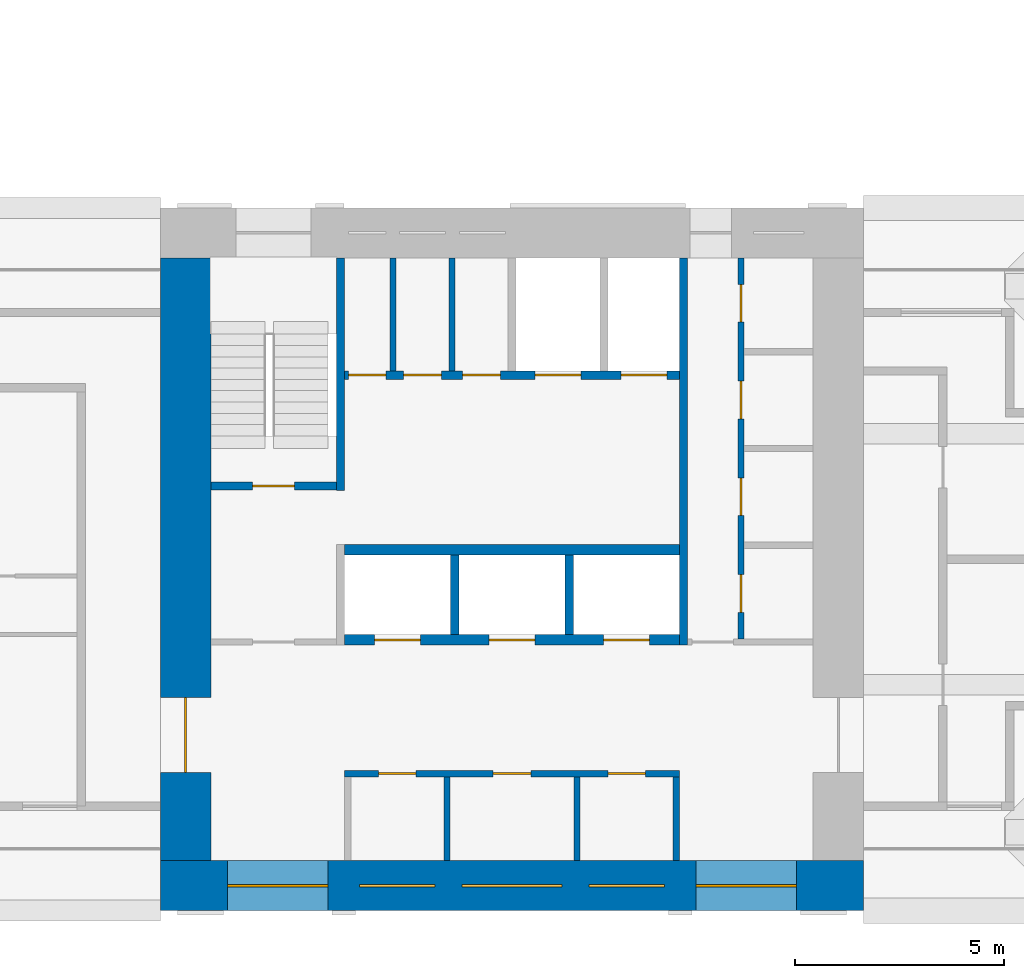
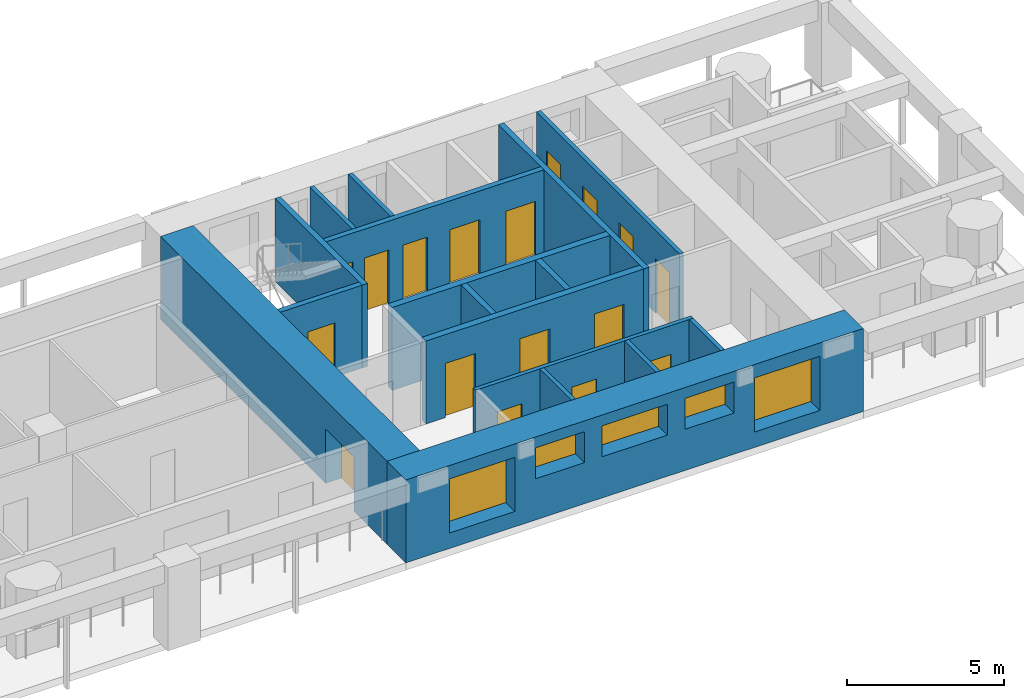
# One storey, part 4 of 13: 17 doors, 17 walls, 5 windows, 22 openings.
"""IFC4 building model written with IfcOpenShell, lengths in metres."""

from ifc_helpers import new_model, si_unit, direction, frame, frame_2d, origin, place, context, subcontext, project, spatial, rectangle, extrude, material, layer, layer_set, type_object, element, fill, save


model = new_model("IFC4")

# Units and contexts
model_context = context("Model", 3, precision=1e-05, world=origin(), true_north=direction((0.0, 1.0)))
body_context = subcontext(model_context, "Body", "Model", "MODEL_VIEW")
ifc_project = project(units=[si_unit("LENGTHUNIT", "METRE"), si_unit("AREAUNIT", "SQUARE_METRE"), si_unit("VOLUMEUNIT", "CUBIC_METRE"), si_unit("PLANEANGLEUNIT", "RADIAN"), si_unit("MASSUNIT", "GRAM", prefix="KILO")], contexts=[model_context])

# Site, building, storey
site_placement = place(None, origin())
site = spatial("IfcSite", under=ifc_project, at=site_placement, CompositionType="ELEMENT")
building_placement = place(site_placement, origin())
building = spatial("IfcBuilding", under=site, at=building_placement, Name="Vermilion Gate Residences", CompositionType="ELEMENT")
storey_placement = place(building_placement, frame((0.0, 0.0, 161.699951171875)))
storey = spatial("IfcBuildingStorey", under=building, at=storey_placement, Name="L41", CompositionType="ELEMENT", Elevation=161.699951171875)

# Walls
ifc_material_1 = material(Name="Masonry blockwork", Category="masonry")
ifc_layer_1 = layer(ifc_material_1, 0.14990234375)
ifc_layer_set_1 = layer_set([ifc_layer_1], Name="BLOCKWORK PARTITION 150 EI 120")
wall_type_1 = type_object("IfcWallType", Name="BLOCKWORK PARTITION 150 EI 120", PredefinedType="PARTITIONING", material=ifc_layer_set_1)
for number, where, z_axis, x_axis, name in (
    (1, (54.324951171875, 9.60009765625, 0.0), (0.0, 0.0, 1.0), (0.0, 1.0, 0.0), "Core room partition A41-RW-E"),
    (2, (48.844970703125, 9.60009765625, 0.0), (0.0, 0.0, 1.0), (0.0, 1.0, 0.0), "Core room partition A41-SR-P0"),
    (3, (51.955078125, 9.60009765625, 0.0), (0.0, 0.0, 1.0), (0.0, 1.0, 0.0), "Core room partition A41-SR-P1"),
):
    element("IfcWall", number, at=place(storey_placement, frame(where, z_axis=z_axis, x_axis=x_axis)), inside=storey, type_object=wall_type_1, Name=name, PredefinedType="PARTITIONING", context=body_context, shape_type="SweptSolid", body=[
        extrude(rectangle(XDim=2.0, YDim=0.14990234375, at=frame_2d((1.0, 0.0))), origin(), (0.0, 0.0, 1.0), 3.219970703125),
    ])

# Wall, openings, doors
wall_1_placement = place(storey_placement, frame((46.39990234375, 11.675048828125, 0.0), z_axis=(0.0, 0.0, 1.0), x_axis=(1.0, 0.0, 0.0)))
wall_1 = element("IfcWall", 4, at=wall_1_placement, inside=storey, type_object=wall_type_1, Name="Core room partition A41-LR-F", PredefinedType="PARTITIONING", context=body_context, shape_type="SweptSolid", body=[
    extrude(rectangle(XDim=8.0, YDim=0.14990234375, at=frame_2d((4.0, 0.0))), origin(), (0.0, 0.0, 1.0), 3.219970703125),
])
opening_1_placement = place(wall_1_placement, frame((0.81005859375, 0.0, 0.0)))
opening_1 = element("IfcOpeningElement", 5, at=opening_1_placement, cuts=wall_1, Name="Opening DK41003", PredefinedType="OPENING", context=body_context, shape_type="SweptSolid", body=[
    extrude(rectangle(XDim=0.89990234375, YDim=2.10009765625, at=frame_2d((0.449951171875, 1.050048828125))), frame((0.0, 0.0849609375, 0.0), z_axis=(0.0, -1.0, 0.0), x_axis=(1.0, 0.0, 0.0)), (0.0, 0.0, 1.0), 0.169921875),
])
opening_2_placement = place(wall_1_placement, frame((3.550048828125, 0.0, 0.0)))
opening_2 = element("IfcOpeningElement", 6, at=opening_2_placement, cuts=wall_1, Name="Opening DK41004", PredefinedType="OPENING", context=body_context, shape_type="SweptSolid", body=[
    extrude(rectangle(XDim=0.89990234375, YDim=2.10009765625, at=frame_2d((0.449951171875, 1.050048828125))), frame((0.0, 0.0849609375, 0.0), z_axis=(0.0, -1.0, 0.0), x_axis=(1.0, 0.0, 0.0)), (0.0, 0.0, 1.0), 0.169921875),
])
opening_3_placement = place(wall_1_placement, frame((6.2900390625, 0.0, 0.0)))
opening_3 = element("IfcOpeningElement", 7, at=opening_3_placement, cuts=wall_1, Name="Opening DK41005", PredefinedType="OPENING", context=body_context, shape_type="SweptSolid", body=[
    extrude(rectangle(XDim=0.89990234375, YDim=2.10009765625, at=frame_2d((0.449951171875, 1.050048828125))), frame((0.0, 0.0849609375, 0.0), z_axis=(0.0, -1.0, 0.0), x_axis=(1.0, 0.0, 0.0)), (0.0, 0.0, 1.0), 0.169921875),
])
ifc_material_2 = material(Name="Steel", Category="steel")
door_type_1 = type_object("IfcDoorType", Name="SERVICE ROOM DOOR FD60 900 X 2100", OperationType="SINGLE_SWING_LEFT", PredefinedType="DOOR", material=ifc_material_2)
door_1_placement = place(opening_1_placement, frame((0.89990234375, 0.0, 0.0), z_axis=(0.0, 0.0, 1.0), x_axis=(-1.0, 0.0, 0.0)))
door_1 = element("IfcDoor", 8, at=door_1_placement, inside=storey, type_object=door_type_1, Name="Refuse room A41", OperationType="SINGLE_SWING_RIGHT", OverallHeight=2.10009765625, OverallWidth=0.89990234375, PredefinedType="DOOR", context=body_context, shape_type="SweptSolid", body=[
    extrude(rectangle(XDim=0.89990234375, YDim=2.10009765625, at=frame_2d((0.449951171875, 1.050048828125))), frame((0.0, 0.02490234375, 0.0), z_axis=(0.0, -1.0, 0.0), x_axis=(1.0, 0.0, 0.0)), (0.0, 0.0, 1.0), 0.050048828125),
])
fill(opening_1, door_1)
door_2_placement = place(opening_2_placement, frame((0.89990234375, 0.0, 0.0), z_axis=(0.0, 0.0, 1.0), x_axis=(-1.0, 0.0, 0.0)))
door_2 = element("IfcDoor", 9, at=door_2_placement, inside=storey, type_object=door_type_1, Name="Parcel room A41", OperationType="SINGLE_SWING_RIGHT", OverallHeight=2.10009765625, OverallWidth=0.89990234375, PredefinedType="DOOR", context=body_context, shape_type="SweptSolid", body=[
    extrude(rectangle(XDim=0.89990234375, YDim=2.10009765625, at=frame_2d((0.449951171875, 1.050048828125))), frame((0.0, 0.02490234375, 0.0), z_axis=(0.0, -1.0, 0.0), x_axis=(1.0, 0.0, 0.0)), (0.0, 0.0, 1.0), 0.050048828125),
])
fill(opening_2, door_2)
door_3_placement = place(opening_3_placement, frame((0.89990234375, 0.0, 0.0), z_axis=(0.0, 0.0, 1.0), x_axis=(-1.0, 0.0, 0.0)))
door_3 = element("IfcDoor", 10, at=door_3_placement, inside=storey, type_object=door_type_1, Name="Housekeeping store A41", OperationType="SINGLE_SWING_RIGHT", OverallHeight=2.10009765625, OverallWidth=0.89990234375, PredefinedType="DOOR", context=body_context, shape_type="SweptSolid", body=[
    extrude(rectangle(XDim=0.89990234375, YDim=2.10009765625, at=frame_2d((0.449951171875, 1.050048828125))), frame((0.0, 0.02490234375, 0.0), z_axis=(0.0, -1.0, 0.0), x_axis=(1.0, 0.0, 0.0)), (0.0, 0.0, 1.0), 0.050048828125),
])
fill(opening_3, door_3)

# Walls
for number, where, z_axis, x_axis, name in (
    (11, (47.554931640625, 21.300048828125, 0.0), (0.0, 0.0, 1.0), (0.0, 1.0, 0.0), "Core room partition A41-NR-P0"),
    (12, (48.965087890625, 21.300048828125, 0.0), (0.0, 0.0, 1.0), (0.0, 1.0, 0.0), "Core room partition A41-NR-P1"),
):
    element("IfcWall", number, at=place(storey_placement, frame(where, z_axis=z_axis, x_axis=x_axis)), inside=storey, type_object=wall_type_1, Name=name, PredefinedType="PARTITIONING", context=body_context, shape_type="SweptSolid", body=[
        extrude(rectangle(XDim=2.699951171875, YDim=0.14990234375, at=frame_2d((1.35009765625, 0.0))), origin(), (0.0, 0.0, 1.0), 3.219970703125),
    ])

# Wall, openings, doors
wall_2_placement = place(storey_placement, frame((55.875, 14.89990234375, 0.0), z_axis=(0.0, 0.0, 1.0), x_axis=(0.0, 1.0, 0.0)))
wall_2 = element("IfcWall", 13, at=wall_2_placement, inside=storey, type_object=wall_type_1, Name="Core room partition A41-ES-W", PredefinedType="PARTITIONING", context=body_context, shape_type="SweptSolid", body=[
    extrude(rectangle(XDim=9.10009765625, YDim=0.14990234375, at=frame_2d((4.550048828125, 0.0))), origin(), (0.0, 0.0, 1.0), 3.219970703125),
])
opening_4_placement = place(wall_2_placement, frame((0.63134765625, 0.0, 0.0)))
opening_4 = element("IfcOpeningElement", 14, at=opening_4_placement, cuts=wall_2, Name="Opening DK41017", PredefinedType="OPENING", context=body_context, shape_type="SweptSolid", body=[
    extrude(rectangle(XDim=0.89990234375, YDim=2.10009765625, at=frame_2d((0.449951171875, 1.050048828125))), frame((0.0, 0.0849609375, 0.0), z_axis=(0.0, -1.0, 0.0), x_axis=(1.0, 0.0, 0.0)), (0.0, 0.0, 1.0), 0.169921875),
])
opening_5_placement = place(wall_2_placement, frame((2.94384765625, 0.0, 0.0)))
opening_5 = element("IfcOpeningElement", 15, at=opening_5_placement, cuts=wall_2, Name="Opening DK41018", PredefinedType="OPENING", context=body_context, shape_type="SweptSolid", body=[
    extrude(rectangle(XDim=0.89990234375, YDim=2.10009765625, at=frame_2d((0.449951171875, 1.050048828125))), frame((0.0, 0.0849609375, 0.0), z_axis=(0.0, -1.0, 0.0), x_axis=(1.0, 0.0, 0.0)), (0.0, 0.0, 1.0), 0.169921875),
])
opening_6_placement = place(wall_2_placement, frame((5.25634765625, 0.0, 0.0)))
opening_6 = element("IfcOpeningElement", 16, at=opening_6_placement, cuts=wall_2, Name="Opening DK41019", PredefinedType="OPENING", context=body_context, shape_type="SweptSolid", body=[
    extrude(rectangle(XDim=0.89990234375, YDim=2.10009765625, at=frame_2d((0.449951171875, 1.050048828125))), frame((0.0, 0.0849609375, 0.0), z_axis=(0.0, -1.0, 0.0), x_axis=(1.0, 0.0, 0.0)), (0.0, 0.0, 1.0), 0.169921875),
])
opening_7_placement = place(wall_2_placement, frame((7.56884765625, 0.0, 0.0)))
opening_7 = element("IfcOpeningElement", 17, at=opening_7_placement, cuts=wall_2, Name="Opening DK41020", PredefinedType="OPENING", context=body_context, shape_type="SweptSolid", body=[
    extrude(rectangle(XDim=0.89990234375, YDim=2.10009765625, at=frame_2d((0.449951171875, 1.050048828125))), frame((0.0, 0.0849609375, 0.0), z_axis=(0.0, -1.0, 0.0), x_axis=(1.0, 0.0, 0.0)), (0.0, 0.0, 1.0), 0.169921875),
])
door_4_placement = place(opening_4_placement, frame((0.89990234375, 0.0, 0.0), z_axis=(0.0, 0.0, 1.0), x_axis=(-1.0, 0.0, 0.0)))
door_4 = element("IfcDoor", 18, at=door_4_placement, inside=storey, type_object=door_type_1, Name="Parcel room A41", OperationType="SINGLE_SWING_RIGHT", OverallHeight=2.10009765625, OverallWidth=0.89990234375, PredefinedType="DOOR", context=body_context, shape_type="SweptSolid", body=[
    extrude(rectangle(XDim=0.89990234375, YDim=2.10009765625, at=frame_2d((0.449951171875, 1.050048828125))), frame((0.0, 0.02490234375, 0.0), z_axis=(0.0, -1.0, 0.0), x_axis=(1.0, 0.0, 0.0)), (0.0, 0.0, 1.0), 0.050048828125),
])
fill(opening_4, door_4)
door_5_placement = place(opening_5_placement, frame((0.89990234375, 0.0, 0.0), z_axis=(0.0, 0.0, 1.0), x_axis=(-1.0, 0.0, 0.0)))
door_5 = element("IfcDoor", 19, at=door_5_placement, inside=storey, type_object=door_type_1, Name="Cleaner's store A41", OperationType="SINGLE_SWING_RIGHT", OverallHeight=2.10009765625, OverallWidth=0.89990234375, PredefinedType="DOOR", context=body_context, shape_type="SweptSolid", body=[
    extrude(rectangle(XDim=0.89990234375, YDim=2.10009765625, at=frame_2d((0.449951171875, 1.050048828125))), frame((0.0, 0.02490234375, 0.0), z_axis=(0.0, -1.0, 0.0), x_axis=(1.0, 0.0, 0.0)), (0.0, 0.0, 1.0), 0.050048828125),
])
fill(opening_5, door_5)
door_6_placement = place(opening_6_placement, frame((0.89990234375, 0.0, 0.0), z_axis=(0.0, 0.0, 1.0), x_axis=(-1.0, 0.0, 0.0)))
door_6 = element("IfcDoor", 20, at=door_6_placement, inside=storey, type_object=door_type_1, Name="Electrical room A41", OperationType="SINGLE_SWING_RIGHT", OverallHeight=2.10009765625, OverallWidth=0.89990234375, PredefinedType="DOOR", context=body_context, shape_type="SweptSolid", body=[
    extrude(rectangle(XDim=0.89990234375, YDim=2.10009765625, at=frame_2d((0.449951171875, 1.050048828125))), frame((0.0, 0.02490234375, 0.0), z_axis=(0.0, -1.0, 0.0), x_axis=(1.0, 0.0, 0.0)), (0.0, 0.0, 1.0), 0.050048828125),
])
fill(opening_6, door_6)
door_7_placement = place(opening_7_placement, frame((0.89990234375, 0.0, 0.0), z_axis=(0.0, 0.0, 1.0), x_axis=(-1.0, 0.0, 0.0)))
door_7 = element("IfcDoor", 21, at=door_7_placement, inside=storey, type_object=door_type_1, Name="Storage room A41", OperationType="SINGLE_SWING_RIGHT", OverallHeight=2.10009765625, OverallWidth=0.89990234375, PredefinedType="DOOR", context=body_context, shape_type="SweptSolid", body=[
    extrude(rectangle(XDim=0.89990234375, YDim=2.10009765625, at=frame_2d((0.449951171875, 1.050048828125))), frame((0.0, 0.02490234375, 0.0), z_axis=(0.0, -1.0, 0.0), x_axis=(1.0, 0.0, 0.0)), (0.0, 0.0, 1.0), 0.050048828125),
])
fill(opening_7, door_7)

# Walls
ifc_material_3 = material(Name="Concrete C60", Category="concrete")
ifc_layer_2 = layer(ifc_material_3, 0.199951171875)
ifc_layer_set_2 = layer_set([ifc_layer_2], Name="RC CORE INTERNAL WALL 200 C60")
wall_type_2 = type_object("IfcWallType", Name="RC CORE INTERNAL WALL 200 C60", PredefinedType="SHEAR", material=ifc_layer_set_2)
for number, where, z_axis, x_axis, name in (
    (22, (49.033447265625, 15.0, 0.0), (0.0, 0.0, 1.0), (0.0, 1.0, 0.0), "Core internal wall A41-HR-D1"),
    (23, (51.7666015625, 15.0, 0.0), (0.0, 0.0, 1.0), (0.0, 1.0, 0.0), "Core internal wall A41-HR-D2"),
):
    element("IfcWall", number, at=place(storey_placement, frame(where, z_axis=z_axis, x_axis=x_axis)), inside=storey, type_object=wall_type_2, Name=name, PredefinedType="SHEAR", context=body_context, shape_type="SweptSolid", body=[
        extrude(rectangle(XDim=1.89990234375, YDim=0.199951171875, at=frame_2d((0.949951171875, 0.0))), origin(), (0.0, 0.0, 1.0), 3.219970703125),
    ])

# Wall, openings, doors
wall_3_placement = place(storey_placement, frame((46.39990234375, 21.199951171875, 0.0), z_axis=(0.0, 0.0, 1.0), x_axis=(1.0, 0.0, 0.0)))
wall_3 = element("IfcWall", 24, at=wall_3_placement, inside=storey, type_object=wall_type_2, Name="Core internal wall A41-FF-F", PredefinedType="SHEAR", context=body_context, shape_type="SweptSolid", body=[
    extrude(rectangle(XDim=8.0, YDim=0.199951171875, at=frame_2d((4.0, 0.0))), origin(), (0.0, 0.0, 1.0), 3.219970703125),
])
opening_8_placement = place(wall_3_placement, frame((0.090087890625, 0.0, 0.0)))
opening_8 = element("IfcOpeningElement", 25, at=opening_8_placement, cuts=wall_3, Name="Opening DK41009", PredefinedType="OPENING", context=body_context, shape_type="SweptSolid", body=[
    extrude(rectangle(XDim=0.89990234375, YDim=2.10009765625, at=frame_2d((0.449951171875, 1.050048828125))), frame((0.0, 0.10986328125, 0.0), z_axis=(0.0, -1.0, 0.0), x_axis=(1.0, 0.0, 0.0)), (0.0, 0.0, 1.0), 0.219970703125),
])
opening_9_placement = place(wall_3_placement, frame((1.409912109375, 0.0, 0.0)))
opening_9 = element("IfcOpeningElement", 26, at=opening_9_placement, cuts=wall_3, Name="Opening DK41010", PredefinedType="OPENING", context=body_context, shape_type="SweptSolid", body=[
    extrude(rectangle(XDim=0.89990234375, YDim=2.10009765625, at=frame_2d((0.449951171875, 1.050048828125))), frame((0.0, 0.10986328125, 0.0), z_axis=(0.0, -1.0, 0.0), x_axis=(1.0, 0.0, 0.0)), (0.0, 0.0, 1.0), 0.219970703125),
])
opening_10_placement = place(wall_3_placement, frame((2.820068359375, 0.0, 0.0)))
opening_10 = element("IfcOpeningElement", 27, at=opening_10_placement, cuts=wall_3, Name="Opening DK41011", PredefinedType="OPENING", context=body_context, shape_type="SweptSolid", body=[
    extrude(rectangle(XDim=0.89990234375, YDim=2.10009765625, at=frame_2d((0.449951171875, 1.050048828125))), frame((0.0, 0.10986328125, 0.0), z_axis=(0.0, -1.0, 0.0), x_axis=(1.0, 0.0, 0.0)), (0.0, 0.0, 1.0), 0.219970703125),
])
opening_11_placement = place(wall_3_placement, frame((4.550048828125, 0.0, 0.0)))
opening_11 = element("IfcOpeningElement", 28, at=opening_11_placement, cuts=wall_3, Name="Opening LD", PredefinedType="OPENING", context=body_context, shape_type="SweptSolid", body=[
    extrude(rectangle(XDim=1.10009765625, YDim=2.10009765625, at=frame_2d((0.550048828125, 1.050048828125))), frame((0.0, 0.10986328125, 0.0), z_axis=(0.0, -1.0, 0.0), x_axis=(1.0, 0.0, 0.0)), (0.0, 0.0, 1.0), 0.219970703125),
])
opening_12_placement = place(wall_3_placement, frame((6.60009765625, 0.0, 0.0)))
opening_12 = element("IfcOpeningElement", 29, at=opening_12_placement, cuts=wall_3, Name="Opening LD", PredefinedType="OPENING", context=body_context, shape_type="SweptSolid", body=[
    extrude(rectangle(XDim=1.10009765625, YDim=2.10009765625, at=frame_2d((0.550048828125, 1.050048828125))), frame((0.0, 0.10986328125, 0.0), z_axis=(0.0, -1.0, 0.0), x_axis=(1.0, 0.0, 0.0)), (0.0, 0.0, 1.0), 0.219970703125),
])
ifc_material_4 = material(Name="Stainless steel", Category="steel")
door_type_2 = type_object("IfcDoorType", Name="LIFT LANDING DOOR E60 1100 X 2100", OperationType="DOUBLE_DOOR_SLIDING", PredefinedType="DOOR", material=ifc_material_4)
door_8_placement = place(opening_11_placement, origin())
door_8 = element("IfcDoor", 30, at=door_8_placement, inside=storey, type_object=door_type_2, Name="Lift landing door LFA1", OperationType="DOUBLE_DOOR_SLIDING", OverallHeight=2.10009765625, OverallWidth=1.10009765625, PredefinedType="DOOR", context=body_context, shape_type="SweptSolid", body=[
    extrude(rectangle(XDim=1.10009765625, YDim=2.10009765625, at=frame_2d((0.550048828125, 1.050048828125))), frame((0.0, 0.02490234375, 0.0), z_axis=(0.0, -1.0, 0.0), x_axis=(1.0, 0.0, 0.0)), (0.0, 0.0, 1.0), 0.050048828125),
])
fill(opening_11, door_8)
door_9_placement = place(opening_12_placement, origin())
door_9 = element("IfcDoor", 31, at=door_9_placement, inside=storey, type_object=door_type_2, Name="Lift landing door LCA1", OperationType="DOUBLE_DOOR_SLIDING", OverallHeight=2.10009765625, OverallWidth=1.10009765625, PredefinedType="DOOR", context=body_context, shape_type="SweptSolid", body=[
    extrude(rectangle(XDim=1.10009765625, YDim=2.10009765625, at=frame_2d((0.550048828125, 1.050048828125))), frame((0.0, 0.02490234375, 0.0), z_axis=(0.0, -1.0, 0.0), x_axis=(1.0, 0.0, 0.0)), (0.0, 0.0, 1.0), 0.050048828125),
])
fill(opening_12, door_9)
door_10_placement = place(opening_8_placement, origin())
door_10 = element("IfcDoor", 32, at=door_10_placement, inside=storey, type_object=door_type_1, Name="Communications riser A41", OperationType="SINGLE_SWING_RIGHT", OverallHeight=2.10009765625, OverallWidth=0.89990234375, PredefinedType="DOOR", context=body_context, shape_type="SweptSolid", body=[
    extrude(rectangle(XDim=0.89990234375, YDim=2.10009765625, at=frame_2d((0.449951171875, 1.050048828125))), frame((0.0, 0.02490234375, 0.0), z_axis=(0.0, -1.0, 0.0), x_axis=(1.0, 0.0, 0.0)), (0.0, 0.0, 1.0), 0.050048828125),
])
fill(opening_8, door_10)
door_11_placement = place(opening_9_placement, origin())
door_11 = element("IfcDoor", 33, at=door_11_placement, inside=storey, type_object=door_type_1, Name="Refuse room A41", OperationType="SINGLE_SWING_LEFT", OverallHeight=2.10009765625, OverallWidth=0.89990234375, PredefinedType="DOOR", context=body_context, shape_type="SweptSolid", body=[
    extrude(rectangle(XDim=0.89990234375, YDim=2.10009765625, at=frame_2d((0.449951171875, 1.050048828125))), frame((0.0, 0.02490234375, 0.0), z_axis=(0.0, -1.0, 0.0), x_axis=(1.0, 0.0, 0.0)), (0.0, 0.0, 1.0), 0.050048828125),
])
fill(opening_9, door_11)
door_12_placement = place(opening_10_placement, origin())
door_12 = element("IfcDoor", 34, at=door_12_placement, inside=storey, type_object=door_type_1, Name="Parcel room A41", OperationType="SINGLE_SWING_LEFT", OverallHeight=2.10009765625, OverallWidth=0.89990234375, PredefinedType="DOOR", context=body_context, shape_type="SweptSolid", body=[
    extrude(rectangle(XDim=0.89990234375, YDim=2.10009765625, at=frame_2d((0.449951171875, 1.050048828125))), frame((0.0, 0.02490234375, 0.0), z_axis=(0.0, -1.0, 0.0), x_axis=(1.0, 0.0, 0.0)), (0.0, 0.0, 1.0), 0.050048828125),
])
fill(opening_10, door_12)

# Wall
wall_4_placement = place(storey_placement, frame((46.300048828125, 18.449951171875, 0.0), z_axis=(0.0, 0.0, 1.0), x_axis=(0.0, 1.0, 0.0)))
element("IfcWall", 35, at=wall_4_placement, inside=storey, type_object=wall_type_2, Name="Core internal wall A41-WDIV2", PredefinedType="SHEAR", context=body_context, shape_type="SweptSolid", body=[
    extrude(rectangle(XDim=5.550048828125, YDim=0.199951171875, at=frame_2d((2.77490234375, 0.0))), origin(), (0.0, 0.0, 1.0), 3.219970703125),
])

# Wall, opening, door
wall_5_placement = place(storey_placement, frame((43.199951171875, 18.550048828125, 0.0), z_axis=(0.0, 0.0, 1.0), x_axis=(1.0, 0.0, 0.0)))
wall_5 = element("IfcWall", 36, at=wall_5_placement, inside=storey, type_object=wall_type_2, Name="Core internal wall A41-STW-S", PredefinedType="SHEAR", context=body_context, shape_type="SweptSolid", body=[
    extrude(rectangle(XDim=3.0, YDim=0.199951171875, at=frame_2d((1.5, 0.0))), origin(), (0.0, 0.0, 1.0), 3.219970703125),
])
opening_13_placement = place(wall_5_placement, frame((1.0, 0.0, 0.0)))
opening_13 = element("IfcOpeningElement", 37, at=opening_13_placement, cuts=wall_5, Name="Opening DK41015", PredefinedType="OPENING", context=body_context, shape_type="SweptSolid", body=[
    extrude(rectangle(XDim=1.0, YDim=2.10009765625, at=frame_2d((0.5, 1.050048828125))), frame((0.0, 0.10986328125, 0.0), z_axis=(0.0, -1.0, 0.0), x_axis=(1.0, 0.0, 0.0)), (0.0, 0.0, 1.0), 0.219970703125),
])
ifc_material_5 = material(Name="Steel", Category="steel")
door_type_3 = type_object("IfcDoorType", Name="FIRE DOOR FD60 1000 X 2100", OperationType="SINGLE_SWING_LEFT", PredefinedType="DOOR", material=ifc_material_5)
door_13_placement = place(opening_13_placement, origin())
door_13 = element("IfcDoor", 38, at=door_13_placement, inside=storey, type_object=door_type_3, Name="Stair door A41", OperationType="SINGLE_SWING_LEFT", OverallHeight=2.10009765625, OverallWidth=1.0, PredefinedType="DOOR", context=body_context, shape_type="SweptSolid", body=[
    extrude(rectangle(XDim=1.0, YDim=2.10009765625, at=frame_2d((0.5, 1.050048828125))), frame((0.0, 0.02490234375, 0.0), z_axis=(0.0, -1.0, 0.0), x_axis=(1.0, 0.0, 0.0)), (0.0, 0.0, 1.0), 0.050048828125),
])
fill(opening_13, door_13)

# Wall
wall_6_placement = place(storey_placement, frame((54.5, 14.75, 0.0), z_axis=(0.0, 0.0, 1.0), x_axis=(0.0, 1.0, 0.0)))
element("IfcWall", 39, at=wall_6_placement, inside=storey, type_object=wall_type_2, Name="Core internal wall A41-EDIV", PredefinedType="SHEAR", context=body_context, shape_type="SweptSolid", body=[
    extrude(rectangle(XDim=9.25, YDim=0.199951171875, at=frame_2d((4.625, 0.0))), origin(), (0.0, 0.0, 1.0), 3.219970703125),
])

# Wall, opening, door
ifc_material_6 = material(Name="Concrete C60", Category="concrete")
ifc_layer_3 = layer(ifc_material_6, 1.199951171875)
ifc_layer_set_3 = layer_set([ifc_layer_3], Name="RC CORE WALL 1200 C60")
wall_type_3 = type_object("IfcWallType", Name="RC CORE WALL 1200 C60", PredefinedType="SHEAR", material=ifc_layer_set_3)
wall_7_placement = place(storey_placement, frame((42.60009765625, 9.60009765625, 0.0), z_axis=(0.0, 0.0, 1.0), x_axis=(0.0, 1.0, 0.0)))
wall_7 = element("IfcWall", 40, at=wall_7_placement, inside=storey, type_object=wall_type_3, Name="Core wall A41-OUT-FR", PredefinedType="SHEAR", context=body_context, shape_type="SweptSolid", body=[
    extrude(rectangle(XDim=14.39990234375, YDim=1.199951171875, at=frame_2d((7.199951171875, 0.0))), origin(), (0.0, 0.0, 1.0), 3.219970703125),
])
opening_14_placement = place(wall_7_placement, frame((2.10009765625, 0.0, 0.0)))
opening_14 = element("IfcOpeningElement", 41, at=opening_14_placement, cuts=wall_7, Name="Opening DK41001", PredefinedType="OPENING", context=body_context, shape_type="SweptSolid", body=[
    extrude(rectangle(XDim=1.800048828125, YDim=2.10009765625, at=frame_2d((0.89990234375, 1.050048828125))), frame((0.0, 0.60986328125, 0.0), z_axis=(0.0, -1.0, 0.0), x_axis=(1.0, 0.0, 0.0)), (0.0, 0.0, 1.0), 1.219970703125),
])
ifc_material_7 = material(Name="Steel", Category="steel")
door_type_4 = type_object("IfcDoorType", Name="CORE LOBBY DOOR FD60 1800 X 2100", OperationType="DOUBLE_DOOR_SINGLE_SWING", PredefinedType="DOOR", material=ifc_material_7)
door_14_placement = place(opening_14_placement, frame((1.800048828125, 0.0, 0.0), z_axis=(0.0, 0.0, 1.0), x_axis=(-1.0, 0.0, 0.0)))
door_14 = element("IfcDoor", 42, at=door_14_placement, inside=storey, type_object=door_type_4, Name="Core lobby door A41", OperationType="DOUBLE_DOOR_SINGLE_SWING", OverallHeight=2.10009765625, OverallWidth=1.800048828125, PredefinedType="DOOR", context=body_context, shape_type="SweptSolid", body=[
    extrude(rectangle(XDim=1.800048828125, YDim=2.10009765625, at=frame_2d((0.89990234375, 1.050048828125))), frame((0.0, 0.02490234375, 0.0), z_axis=(0.0, -1.0, 0.0), x_axis=(1.0, 0.0, 0.0)), (0.0, 0.0, 1.0), 0.050048828125),
])
fill(opening_14, door_14)

# Wall, openings, windows
ifc_material_8 = material(Name="Concrete C60 red-oxide pigmented", Category="concrete")
ifc_layer_4 = layer(ifc_material_8, 1.199951171875)
ifc_layer_set_4 = layer_set([ifc_layer_4], Name="RC CORE WALL 1200 C60 RED OXIDE")
wall_type_4 = type_object("IfcWallType", Name="RC CORE WALL 1200 C60 RED OXIDE", PredefinedType="SHEAR", material=ifc_layer_set_4)
wall_8_placement = place(storey_placement, frame((42.0, 9.0, 0.0), z_axis=(0.0, 0.0, 1.0), x_axis=(1.0, 0.0, 0.0)))
wall_8 = element("IfcWall", 43, at=wall_8_placement, inside=storey, type_object=wall_type_4, Name="Core wall A41-OUT-B0", PredefinedType="SHEAR", context=body_context, shape_type="SweptSolid", body=[
    extrude(rectangle(XDim=16.800048828125, YDim=1.199951171875, at=frame_2d((8.39990234375, 0.0))), origin(), (0.0, 0.0, 1.0), 3.219970703125),
])
opening_15_placement = place(wall_8_placement, frame((1.60009765625, 0.0, 0.60009765625)))
opening_15 = element("IfcOpeningElement", 44, at=opening_15_placement, cuts=wall_8, Name="Opening WKA4101", PredefinedType="OPENING", context=body_context, shape_type="SweptSolid", body=[
    extrude(rectangle(XDim=2.39990234375, YDim=2.10009765625, at=frame_2d((1.199951171875, 1.050048828125))), frame((0.0, 0.60986328125, 0.0), z_axis=(0.0, -1.0, 0.0), x_axis=(1.0, 0.0, 0.0)), (0.0, 0.0, 1.0), 1.219970703125),
])
opening_16_placement = place(wall_8_placement, frame((4.760009765625, 0.0, 1.60009765625)))
opening_16 = element("IfcOpeningElement", 45, at=opening_16_placement, cuts=wall_8, Name="Opening WKA4102", PredefinedType="OPENING", context=body_context, shape_type="SweptSolid", body=[
    extrude(rectangle(XDim=1.800048828125, YDim=1.199951171875, at=frame_2d((0.89990234375, 0.60009765625))), frame((0.0, 0.60986328125, 0.0), z_axis=(0.0, -1.0, 0.0), x_axis=(1.0, 0.0, 0.0)), (0.0, 0.0, 1.0), 1.219970703125),
])
opening_17_placement = place(wall_8_placement, frame((7.199951171875, 0.0, 1.60009765625)))
opening_17 = element("IfcOpeningElement", 46, at=opening_17_placement, cuts=wall_8, Name="Opening WKA4103", PredefinedType="OPENING", context=body_context, shape_type="SweptSolid", body=[
    extrude(rectangle(XDim=2.39990234375, YDim=1.199951171875, at=frame_2d((1.199951171875, 0.60009765625))), frame((0.0, 0.60986328125, 0.0), z_axis=(0.0, -1.0, 0.0), x_axis=(1.0, 0.0, 0.0)), (0.0, 0.0, 1.0), 1.219970703125),
])
opening_18_placement = place(wall_8_placement, frame((10.239990234375, 0.0, 1.60009765625)))
opening_18 = element("IfcOpeningElement", 47, at=opening_18_placement, cuts=wall_8, Name="Opening WKA4104", PredefinedType="OPENING", context=body_context, shape_type="SweptSolid", body=[
    extrude(rectangle(XDim=1.800048828125, YDim=1.199951171875, at=frame_2d((0.89990234375, 0.60009765625))), frame((0.0, 0.60986328125, 0.0), z_axis=(0.0, -1.0, 0.0), x_axis=(1.0, 0.0, 0.0)), (0.0, 0.0, 1.0), 1.219970703125),
])
opening_19_placement = place(wall_8_placement, frame((12.800048828125, 0.0, 0.60009765625)))
opening_19 = element("IfcOpeningElement", 48, at=opening_19_placement, cuts=wall_8, Name="Opening WKA4105", PredefinedType="OPENING", context=body_context, shape_type="SweptSolid", body=[
    extrude(rectangle(XDim=2.39990234375, YDim=2.10009765625, at=frame_2d((1.199951171875, 1.050048828125))), frame((0.0, 0.60986328125, 0.0), z_axis=(0.0, -1.0, 0.0), x_axis=(1.0, 0.0, 0.0)), (0.0, 0.0, 1.0), 1.219970703125),
])
ifc_material_9 = material(Name="Aluminium and clear glass", Category="aluminium")
window_type_1 = type_object("IfcWindowType", Name="CORE LOBBY WINDOW 2400 X 2100", PartitioningType="SINGLE_PANEL", PredefinedType="WINDOW", material=ifc_material_9)
window_1_placement = place(opening_15_placement, origin())
window_1 = element("IfcWindow", 49, at=window_1_placement, inside=storey, type_object=window_type_1, Name="Core lobby window", OverallHeight=2.10009765625, OverallWidth=2.39990234375, PartitioningType="SINGLE_PANEL", PredefinedType="WINDOW", context=body_context, shape_type="SweptSolid", body=[
    extrude(rectangle(XDim=2.39990234375, YDim=2.10009765625, at=frame_2d((1.199951171875, 1.050048828125))), frame((0.0, 0.030029296875, 0.0), z_axis=(0.0, -1.0, 0.0), x_axis=(1.0, 0.0, 0.0)), (0.0, 0.0, 1.0), 0.06005859375),
])
fill(opening_15, window_1)
window_2_placement = place(opening_19_placement, origin())
window_2 = element("IfcWindow", 50, at=window_2_placement, inside=storey, type_object=window_type_1, Name="Core lobby window", OverallHeight=2.10009765625, OverallWidth=2.39990234375, PartitioningType="SINGLE_PANEL", PredefinedType="WINDOW", context=body_context, shape_type="SweptSolid", body=[
    extrude(rectangle(XDim=2.39990234375, YDim=2.10009765625, at=frame_2d((1.199951171875, 1.050048828125))), frame((0.0, 0.030029296875, 0.0), z_axis=(0.0, -1.0, 0.0), x_axis=(1.0, 0.0, 0.0)), (0.0, 0.0, 1.0), 0.06005859375),
])
fill(opening_19, window_2)
ifc_material_10 = material(Name="Aluminium frame with louvre blades", Category="aluminium")
window_type_2 = type_object("IfcWindowType", Name="CORE LOUVRE 1800 X 1200", PartitioningType="SINGLE_PANEL", PredefinedType="WINDOW", material=ifc_material_10)
window_3_placement = place(opening_16_placement, origin())
window_3 = element("IfcWindow", 51, at=window_3_placement, inside=storey, type_object=window_type_2, Name="Core louvre", OverallHeight=1.199951171875, OverallWidth=1.800048828125, PartitioningType="SINGLE_PANEL", PredefinedType="WINDOW", context=body_context, shape_type="SweptSolid", body=[
    extrude(rectangle(XDim=1.800048828125, YDim=1.199951171875, at=frame_2d((0.89990234375, 0.60009765625))), frame((0.0, 0.030029296875, 0.0), z_axis=(0.0, -1.0, 0.0), x_axis=(1.0, 0.0, 0.0)), (0.0, 0.0, 1.0), 0.06005859375),
])
fill(opening_16, window_3)
window_4_placement = place(opening_18_placement, origin())
window_4 = element("IfcWindow", 52, at=window_4_placement, inside=storey, type_object=window_type_2, Name="Core louvre", OverallHeight=1.199951171875, OverallWidth=1.800048828125, PartitioningType="SINGLE_PANEL", PredefinedType="WINDOW", context=body_context, shape_type="SweptSolid", body=[
    extrude(rectangle(XDim=1.800048828125, YDim=1.199951171875, at=frame_2d((0.89990234375, 0.60009765625))), frame((0.0, 0.030029296875, 0.0), z_axis=(0.0, -1.0, 0.0), x_axis=(1.0, 0.0, 0.0)), (0.0, 0.0, 1.0), 0.06005859375),
])
fill(opening_18, window_4)
ifc_material_11 = material(Name="Aluminium frame with louvre blades", Category="aluminium")
window_type_3 = type_object("IfcWindowType", Name="CORE LOUVRE 2400 X 1200", PartitioningType="SINGLE_PANEL", PredefinedType="WINDOW", material=ifc_material_11)
window_5_placement = place(opening_17_placement, origin())
window_5 = element("IfcWindow", 53, at=window_5_placement, inside=storey, type_object=window_type_3, Name="Core louvre", OverallHeight=1.199951171875, OverallWidth=2.39990234375, PartitioningType="SINGLE_PANEL", PredefinedType="WINDOW", context=body_context, shape_type="SweptSolid", body=[
    extrude(rectangle(XDim=2.39990234375, YDim=1.199951171875, at=frame_2d((1.199951171875, 0.60009765625))), frame((0.0, 0.030029296875, 0.0), z_axis=(0.0, -1.0, 0.0), x_axis=(1.0, 0.0, 0.0)), (0.0, 0.0, 1.0), 0.06005859375),
])
fill(opening_17, window_5)

# Wall, openings, doors
ifc_material_12 = material(Name="Concrete C60", Category="concrete")
ifc_layer_5 = layer(ifc_material_12, 0.25)
ifc_layer_set_5 = layer_set([ifc_layer_5], Name="RC LIFT SHAFT WALL 250 C60")
wall_type_5 = type_object("IfcWallType", Name="RC LIFT SHAFT WALL 250 C60", PredefinedType="SHEAR", material=ifc_layer_set_5)
wall_9_placement = place(storey_placement, frame((46.39990234375, 14.875, 0.0), z_axis=(0.0, 0.0, 1.0), x_axis=(1.0, 0.0, 0.0)))
wall_9 = element("IfcWall", 54, at=wall_9_placement, inside=storey, type_object=wall_type_5, Name="Lift shaft wall A41-HR-F", PredefinedType="SHEAR", context=body_context, shape_type="SweptSolid", body=[
    extrude(rectangle(XDim=8.0, YDim=0.25, at=frame_2d((4.0, 0.0))), origin(), (0.0, 0.0, 1.0), 3.219970703125),
])
opening_20_placement = place(wall_9_placement, frame((0.716552734375, 0.0, 0.0)))
opening_20 = element("IfcOpeningElement", 55, at=opening_20_placement, cuts=wall_9, Name="Opening LD", PredefinedType="OPENING", context=body_context, shape_type="SweptSolid", body=[
    extrude(rectangle(XDim=1.10009765625, YDim=2.10009765625, at=frame_2d((0.550048828125, 1.050048828125))), frame((0.0, 0.135009765625, 0.0), z_axis=(0.0, -1.0, 0.0), x_axis=(1.0, 0.0, 0.0)), (0.0, 0.0, 1.0), 0.27001953125),
])
opening_21_placement = place(wall_9_placement, frame((3.449951171875, 0.0, 0.0)))
opening_21 = element("IfcOpeningElement", 56, at=opening_21_placement, cuts=wall_9, Name="Opening LD", PredefinedType="OPENING", context=body_context, shape_type="SweptSolid", body=[
    extrude(rectangle(XDim=1.10009765625, YDim=2.10009765625, at=frame_2d((0.550048828125, 1.050048828125))), frame((0.0, 0.135009765625, 0.0), z_axis=(0.0, -1.0, 0.0), x_axis=(1.0, 0.0, 0.0)), (0.0, 0.0, 1.0), 0.27001953125),
])
opening_22_placement = place(wall_9_placement, frame((6.183349609375, 0.0, 0.0)))
opening_22 = element("IfcOpeningElement", 57, at=opening_22_placement, cuts=wall_9, Name="Opening LD", PredefinedType="OPENING", context=body_context, shape_type="SweptSolid", body=[
    extrude(rectangle(XDim=1.10009765625, YDim=2.10009765625, at=frame_2d((0.550048828125, 1.050048828125))), frame((0.0, 0.135009765625, 0.0), z_axis=(0.0, -1.0, 0.0), x_axis=(1.0, 0.0, 0.0)), (0.0, 0.0, 1.0), 0.27001953125),
])
door_15_placement = place(opening_20_placement, origin())
door_15 = element("IfcDoor", 58, at=door_15_placement, inside=storey, type_object=door_type_2, Name="Lift landing door HRA1", OperationType="DOUBLE_DOOR_SLIDING", OverallHeight=2.10009765625, OverallWidth=1.10009765625, PredefinedType="DOOR", context=body_context, shape_type="SweptSolid", body=[
    extrude(rectangle(XDim=1.10009765625, YDim=2.10009765625, at=frame_2d((0.550048828125, 1.050048828125))), frame((0.0, 0.02490234375, 0.0), z_axis=(0.0, -1.0, 0.0), x_axis=(1.0, 0.0, 0.0)), (0.0, 0.0, 1.0), 0.050048828125),
])
fill(opening_20, door_15)
door_16_placement = place(opening_21_placement, origin())
door_16 = element("IfcDoor", 59, at=door_16_placement, inside=storey, type_object=door_type_2, Name="Lift landing door HRA2", OperationType="DOUBLE_DOOR_SLIDING", OverallHeight=2.10009765625, OverallWidth=1.10009765625, PredefinedType="DOOR", context=body_context, shape_type="SweptSolid", body=[
    extrude(rectangle(XDim=1.10009765625, YDim=2.10009765625, at=frame_2d((0.550048828125, 1.050048828125))), frame((0.0, 0.02490234375, 0.0), z_axis=(0.0, -1.0, 0.0), x_axis=(1.0, 0.0, 0.0)), (0.0, 0.0, 1.0), 0.050048828125),
])
fill(opening_21, door_16)
door_17_placement = place(opening_22_placement, origin())
door_17 = element("IfcDoor", 60, at=door_17_placement, inside=storey, type_object=door_type_2, Name="Lift landing door HRA3", OperationType="DOUBLE_DOOR_SLIDING", OverallHeight=2.10009765625, OverallWidth=1.10009765625, PredefinedType="DOOR", context=body_context, shape_type="SweptSolid", body=[
    extrude(rectangle(XDim=1.10009765625, YDim=2.10009765625, at=frame_2d((0.550048828125, 1.050048828125))), frame((0.0, 0.02490234375, 0.0), z_axis=(0.0, -1.0, 0.0), x_axis=(1.0, 0.0, 0.0)), (0.0, 0.0, 1.0), 0.050048828125),
])
fill(opening_22, door_17)

# Wall
wall_10_placement = place(storey_placement, frame((46.39990234375, 17.02490234375, 0.0), z_axis=(0.0, 0.0, 1.0), x_axis=(1.0, 0.0, 0.0)))
element("IfcWall", 61, at=wall_10_placement, inside=storey, type_object=wall_type_5, Name="Lift shaft wall A41-HR-B", PredefinedType="SHEAR", context=body_context, shape_type="SweptSolid", body=[
    extrude(rectangle(XDim=8.0, YDim=0.25, at=frame_2d((4.0, 0.0))), origin(), (0.0, 0.0, 1.0), 3.219970703125),
])

save(model, "model.ifc")
